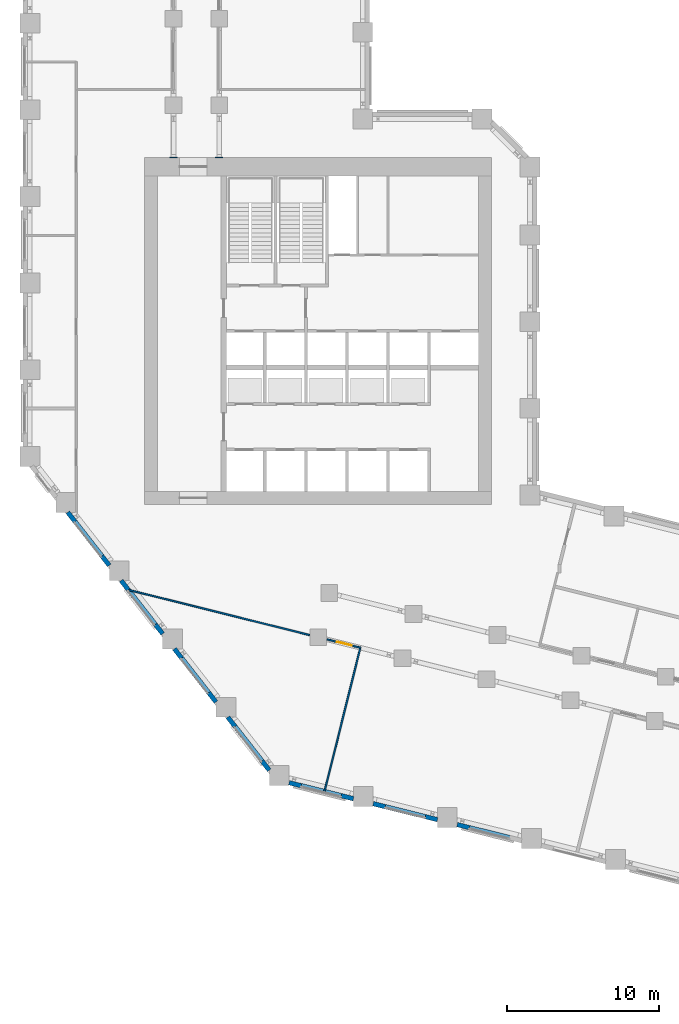
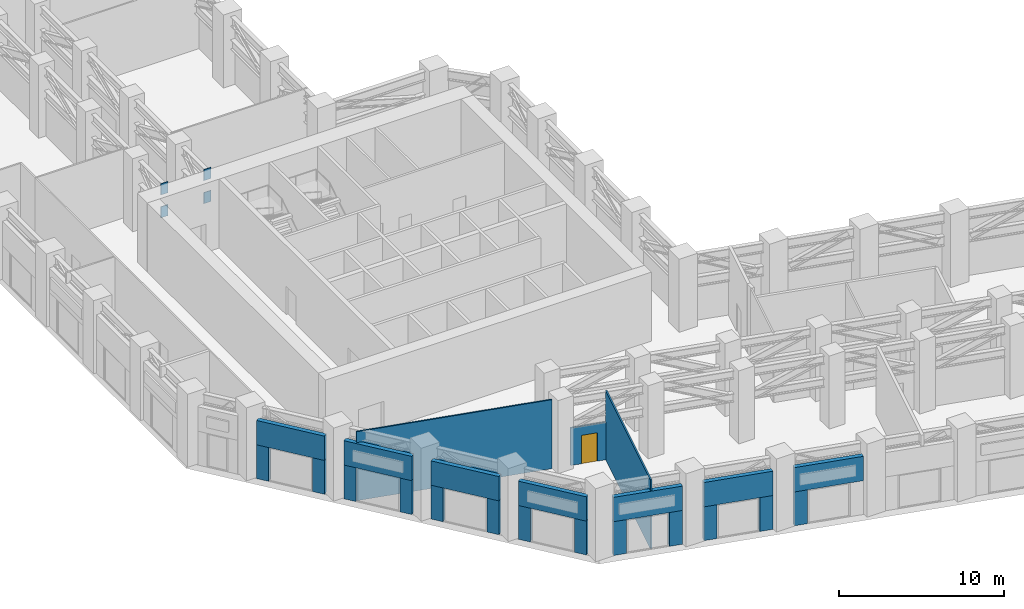
# One storey, part 12 of 21: 23 walls, 4 plates, 1 door, 1 opening.
"""IFC4 building model written with IfcOpenShell, lengths in metres."""

from ifc_helpers import new_model, si_unit, direction, frame, frame_2d, origin, origin_2d, place, context, subcontext, project, spatial, rectangle, extrude, material, layer, layer_set, type_object, element, fill, save


model = new_model("IFC4")

# Units and contexts
model_context = context("Model", 3, precision=1e-05, world=origin(), true_north=direction((0.0, 1.0)))
body_context = subcontext(model_context, "Body", "Model", "MODEL_VIEW")
ifc_project = project(units=[si_unit("LENGTHUNIT", "METRE"), si_unit("AREAUNIT", "SQUARE_METRE"), si_unit("VOLUMEUNIT", "CUBIC_METRE"), si_unit("PLANEANGLEUNIT", "RADIAN"), si_unit("MASSUNIT", "GRAM", prefix="KILO")], contexts=[model_context])

# Site, building, storey
site_placement = place(None, origin())
site = spatial("IfcSite", under=ifc_project, at=site_placement, CompositionType="ELEMENT")
building_placement = place(site_placement, origin())
building = spatial("IfcBuilding", under=site, at=building_placement, Name="Meshkara Civic Tower", CompositionType="ELEMENT")
storey_placement = place(building_placement, frame((0.0, 0.0, 156.0)))
storey = spatial("IfcBuildingStorey", under=building, at=storey_placement, Name="L35", CompositionType="ELEMENT", Elevation=156.0)

# Plates
ifc_material_1 = material(Name="Steel S355", Category="steel")
ifc_layer_1 = layer(ifc_material_1, 0.0400390625)
ifc_layer_set_1 = layer_set([ifc_layer_1], Name="Cast-in plate 40 505x820 S355")
plate_type = type_object("IfcPlateType", Name="Cast-in plate 40 505x820 S355", PredefinedType="SHEET", material=ifc_layer_set_1)
for number, where, z_axis, x_axis, name in (
    (1, (9.89990234375, 36.919921875, 4.3798828125), (0.0, 0.0, 1.0), (0.0, 1.0, 0.0), "Cast-in plate OSA1"),
    (2, (9.89990234375, 36.919921875, 2.68017578125), (0.0, 0.0, 1.0), (0.0, 1.0, 0.0), "Cast-in plate OSA1"),
    (3, (12.89990234375, 36.919921875, 4.3798828125), (0.0, 0.0, 1.0), (0.0, 1.0, 0.0), "Cast-in plate OSA2"),
    (4, (12.89990234375, 36.919921875, 2.68017578125), (0.0, 0.0, 1.0), (0.0, 1.0, 0.0), "Cast-in plate OSA2"),
):
    element("IfcPlate", number, at=place(storey_placement, frame(where, z_axis=z_axis, x_axis=x_axis)), inside=storey, type_object=plate_type, Name=name, PredefinedType="SHEET", context=body_context, shape_type="SweptSolid", body=[
        extrude(rectangle(XDim=0.0400390625, YDim=0.5048828125, at=origin_2d()), origin(), (0.0, 0.0, 1.0), 0.820068359375),
    ])

# Wall
ifc_material_2 = material(Name="Corridor wall 100")
ifc_layer_2 = layer(ifc_material_2, 0.10009765625)
ifc_layer_set_2 = layer_set([ifc_layer_2], Name="Corridor wall 100")
wall_type_1 = type_object("IfcWallType", Name="Corridor wall 100", PredefinedType="PARTITIONING", material=ifc_layer_set_2)
wall_1_placement = place(storey_placement, frame((6.908447265625, 8.480712890625, 0.0), z_axis=(0.0, 0.0, 1.0), x_axis=(0.970288137561, -0.241952330241, 0.0)))
element("IfcWall", 5, at=wall_1_placement, inside=storey, type_object=wall_type_1, Name="L35-R003", PredefinedType="PARTITIONING", context=body_context, shape_type="SweptSolid", body=[
    extrude(rectangle(XDim=12.311279296875, YDim=0.10009765625, at=frame_2d((6.15576171875, 0.0))), origin(), (0.0, 0.0, 1.0), 5.10009765625),
])

# Wall, opening, door
wall_2_placement = place(storey_placement, frame((19.993896484375, 5.218017578125, 0.0), z_axis=(0.0, 0.0, 1.0), x_axis=(0.970313661105, -0.241849951567, 0.0)))
wall_2 = element("IfcWall", 6, at=wall_2_placement, inside=storey, type_object=wall_type_1, Name="L35-R012", PredefinedType="PARTITIONING", context=body_context, shape_type="SweptSolid", body=[
    extrude(rectangle(XDim=2.26220703125, YDim=0.10009765625, at=frame_2d((1.131103515625, 0.0))), origin(), (0.0, 0.0, 1.0), 2.780029296875),
])
opening_placement = place(wall_2_placement, frame((0.679931640625, 0.0, 0.0)))
opening = element("IfcOpeningElement", 7, at=opening_placement, cuts=wall_2, Name="Opening L35-P004", PredefinedType="OPENING", context=body_context, shape_type="SweptSolid", body=[
    extrude(rectangle(XDim=1.0, YDim=2.10009765625, at=frame_2d((0.5, 1.050048828125))), frame((0.0, 0.06005859375, 0.0), z_axis=(0.0, -1.0, 0.0), x_axis=(1.0, 0.0, 0.0)), (0.0, 0.0, 1.0), 0.1201171875),
])
ifc_material_3 = material(Name="Door 1000 x 2100")
door_type = type_object("IfcDoorType", Name="Door 1000 x 2100", OperationType="SINGLE_SWING_LEFT", PredefinedType="DOOR", material=ifc_material_3)
door_placement = place(opening_placement, origin())
door = element("IfcDoor", 8, at=door_placement, inside=storey, type_object=door_type, Name="L35-P004", OperationType="SINGLE_SWING_LEFT", OverallHeight=2.10009765625, OverallWidth=1.0, PredefinedType="DOOR", context=body_context, shape_type="SweptSolid", body=[
    extrude(rectangle(XDim=1.0, YDim=2.10009765625, at=frame_2d((0.5, 1.050048828125))), frame((0.0, 0.02490234375, 0.0), z_axis=(0.0, -1.0, 0.0), x_axis=(1.0, 0.0, 0.0)), (0.0, 0.0, 1.0), 0.050048828125),
])
fill(opening, door)

# Walls
wall_3_placement = place(storey_placement, frame((22.18896484375, 4.6708984375, 0.0), z_axis=(0.0, 0.0, 1.0), x_axis=(-0.241880791135, -0.970305973845, 0.0)))
element("IfcWall", 9, at=wall_3_placement, inside=storey, type_object=wall_type_1, Name="L35-R013", PredefinedType="PARTITIONING", context=body_context, shape_type="SweptSolid", body=[
    extrude(rectangle(XDim=9.825927734375, YDim=0.10009765625, at=frame_2d((4.9130859375, 0.0))), origin(), (0.0, 0.0, 1.0), 5.10009765625),
])
ifc_material_4 = material(Name="Insulated infill panel with bronze anodised aluminium cladding", Category="aluminium")
ifc_layer_3 = layer(ifc_material_4, 0.300048828125)
ifc_layer_set_3 = layer_set([ifc_layer_3], Name="EXTERNAL INFILL WALL 300")
wall_type_2 = type_object("IfcWallType", Name="EXTERNAL INFILL WALL 300", PredefinedType="SOLIDWALL", material=ifc_layer_set_3)
wall_4_placement = place(storey_placement, frame((2.94189453125, 13.5791015625, 2.5), z_axis=(0.0, 0.0, 1.0), x_axis=(0.61562695532, -0.788037722373, 0.0)))
element("IfcWall", 10, at=wall_4_placement, inside=storey, type_object=wall_type_2, Name="External wall", PredefinedType="SOLIDWALL", context=body_context, shape_type="SweptSolid", body=[
    extrude(rectangle(XDim=4.4365234375, YDim=0.300048828125, at=frame_2d((2.21826171875, 0.0))), origin(), (0.0, 0.0, 1.0), 1.800048828125),
])
wall_5_placement = place(storey_placement, frame((6.450927734375, 9.0869140625, 2.5), z_axis=(0.0, 0.0, 1.0), x_axis=(0.615683543254, -0.787993511754, 0.0)))
element("IfcWall", 11, at=wall_5_placement, inside=storey, type_object=wall_type_2, Name="External wall", PredefinedType="SOLIDWALL", context=body_context, shape_type="SweptSolid", body=[
    extrude(rectangle(XDim=4.437744140625, YDim=0.300048828125, at=frame_2d((2.21875, 0.0))), origin(), (0.0, 0.0, 1.0), 1.800048828125),
])
wall_6_placement = place(storey_placement, frame((9.9609375, 4.594970703125, 2.5), z_axis=(0.0, 0.0, 1.0), x_axis=(0.615619477922, -0.788043563773, 0.0)))
element("IfcWall", 12, at=wall_6_placement, inside=storey, type_object=wall_type_2, Name="External wall", PredefinedType="SOLIDWALL", context=body_context, shape_type="SweptSolid", body=[
    extrude(rectangle(XDim=4.43603515625, YDim=0.300048828125, at=frame_2d((2.218017578125, 0.0))), origin(), (0.0, 0.0, 1.0), 1.800048828125),
])
wall_7_placement = place(storey_placement, frame((13.468994140625, 0.10400390625, 2.5), z_axis=(0.0, 0.0, 1.0), x_axis=(0.615622689486, -0.788041054888, 0.0)))
element("IfcWall", 13, at=wall_7_placement, inside=storey, type_object=wall_type_2, Name="External wall", PredefinedType="SOLIDWALL", context=body_context, shape_type="SweptSolid", body=[
    extrude(rectangle(XDim=4.437744140625, YDim=0.300048828125, at=frame_2d((2.21875, 0.0))), origin(), (0.0, 0.0, 1.0), 1.800048828125),
])
wall_8_placement = place(storey_placement, frame((17.5009765625, -4.208984375, 2.5), z_axis=(0.0, 0.0, 1.0), x_axis=(0.970293811216, -0.241929576357, 0.0)))
element("IfcWall", 14, at=wall_8_placement, inside=storey, type_object=wall_type_2, Name="External wall", PredefinedType="SOLIDWALL", context=body_context, shape_type="SweptSolid", body=[
    extrude(rectangle(XDim=4.360595703125, YDim=0.300048828125, at=frame_2d((2.18017578125, 0.0))), origin(), (0.0, 0.0, 1.0), 1.800048828125),
])
wall_9_placement = place(storey_placement, frame((23.031982421875, -5.587890625, 2.5), z_axis=(0.0, 0.0, 1.0), x_axis=(0.970267548892, -0.242034880891, 0.0)))
element("IfcWall", 15, at=wall_9_placement, inside=storey, type_object=wall_type_2, Name="External wall", PredefinedType="SOLIDWALL", context=body_context, shape_type="SweptSolid", body=[
    extrude(rectangle(XDim=4.359619140625, YDim=0.300048828125, at=frame_2d((2.1796875, 0.0))), origin(), (0.0, 0.0, 1.0), 1.800048828125),
])
wall_10_placement = place(storey_placement, frame((28.56201171875, -6.967041015625, 2.5), z_axis=(0.0, 0.0, 1.0), x_axis=(0.970346363444, -0.241718710386, 0.0)))
element("IfcWall", 16, at=wall_10_placement, inside=storey, type_object=wall_type_2, Name="External wall", PredefinedType="SOLIDWALL", context=body_context, shape_type="SweptSolid", body=[
    extrude(rectangle(XDim=4.3603515625, YDim=0.300048828125, at=frame_2d((2.18017578125, 0.0))), origin(), (0.0, 0.0, 1.0), 1.800048828125),
])
ifc_material_5 = material(Name="Concrete C50", Category="concrete")
ifc_layer_4 = layer(ifc_material_5, 0.300048828125)
ifc_layer_set_4 = layer_set([ifc_layer_4], Name="SKY LOBBY PIER 300")
wall_type_3 = type_object("IfcWallType", Name="SKY LOBBY PIER 300", PredefinedType="SOLIDWALL", material=ifc_layer_set_4)
for number, where, z_axis, x_axis, name in (
    (17, (2.94189453125, 13.5791015625, 0.0), (0.0, 0.0, 1.0), (0.615356771204, -0.788248719716, 0.0), "Sky lobby pier"),
    (18, (5.196044921875, 10.694091796875, 0.0), (0.0, 0.0, 1.0), (0.615356771204, -0.788248719716, 0.0), "Sky lobby pier"),
    (19, (6.450927734375, 9.0869140625, 0.0), (0.0, 0.0, 1.0), (0.615509551601, -0.788129425848, 0.0), "Sky lobby pier"),
):
    element("IfcWall", number, at=place(storey_placement, frame(where, z_axis=z_axis, x_axis=x_axis)), inside=storey, type_object=wall_type_3, Name=name, PredefinedType="SOLIDWALL", context=body_context, shape_type="SweptSolid", body=[
        extrude(rectangle(XDim=0.775146484375, YDim=0.300048828125, at=frame_2d((0.3876953125, 0.0))), origin(), (0.0, 0.0, 1.0), 2.5),
    ])
wall_11_placement = place(storey_placement, frame((8.705078125, 6.200927734375, 0.0), z_axis=(0.0, 0.0, 1.0), x_axis=(0.616291287595, -0.787518284762, 0.0)))
element("IfcWall", 20, at=wall_11_placement, inside=storey, type_object=wall_type_3, Name="Sky lobby pier", PredefinedType="SOLIDWALL", context=body_context, shape_type="SweptSolid", body=[
    extrude(rectangle(XDim=0.775634765625, YDim=0.300048828125, at=frame_2d((0.3876953125, 0.0))), origin(), (0.0, 0.0, 1.0), 2.5),
])
wall_12_placement = place(storey_placement, frame((9.9609375, 4.594970703125, 0.0), z_axis=(0.0, 0.0, 1.0), x_axis=(0.615356771204, -0.788248719716, 0.0)))
element("IfcWall", 21, at=wall_12_placement, inside=storey, type_object=wall_type_3, Name="Sky lobby pier", PredefinedType="SOLIDWALL", context=body_context, shape_type="SweptSolid", body=[
    extrude(rectangle(XDim=0.775146484375, YDim=0.300048828125, at=frame_2d((0.3876953125, 0.0))), origin(), (0.0, 0.0, 1.0), 2.5),
])
wall_13_placement = place(storey_placement, frame((12.215087890625, 1.708984375, 0.0), z_axis=(0.0, 0.0, 1.0), x_axis=(0.615925525188, -0.787804383983, 0.0)))
element("IfcWall", 22, at=wall_13_placement, inside=storey, type_object=wall_type_3, Name="Sky lobby pier", PredefinedType="SOLIDWALL", context=body_context, shape_type="SweptSolid", body=[
    extrude(rectangle(XDim=0.774169921875, YDim=0.300048828125, at=frame_2d((0.38720703125, 0.0))), origin(), (0.0, 0.0, 1.0), 2.5),
])
for number, where, z_axis, x_axis, name in (
    (23, (13.468994140625, 0.10400390625, 0.0), (0.0, 0.0, 1.0), (0.615356771204, -0.788248719716, 0.0), "Sky lobby pier"),
    (24, (15.72412109375, -2.781982421875, 0.0), (0.0, 0.0, 1.0), (0.615161042187, -0.788401479055, 0.0), "Sky lobby pier"),
):
    element("IfcWall", number, at=place(storey_placement, frame(where, z_axis=z_axis, x_axis=x_axis)), inside=storey, type_object=wall_type_3, Name=name, PredefinedType="SOLIDWALL", context=body_context, shape_type="SweptSolid", body=[
        extrude(rectangle(XDim=0.775146484375, YDim=0.300048828125, at=frame_2d((0.3876953125, 0.0))), origin(), (0.0, 0.0, 1.0), 2.5),
    ])
for number, where, z_axis, x_axis, name in (
    (25, (17.5009765625, -4.208984375, 0.0), (0.0, 0.0, 1.0), (0.970229411736, -0.242187713567, 0.0), "Sky lobby pier"),
    (26, (20.930908203125, -5.06396484375, 0.0), (0.0, 0.0, 1.0), (0.970229411736, -0.242187713567, 0.0), "Sky lobby pier"),
    (27, (23.031982421875, -5.587890625, 0.0), (0.0, 0.0, 1.0), (0.970159891198, -0.242466050223, 0.0), "Sky lobby pier"),
    (28, (26.4609375, -6.443115234375, 0.0), (0.0, 0.0, 1.0), (0.970229411736, -0.242187713567, 0.0), "Sky lobby pier"),
):
    element("IfcWall", number, at=place(storey_placement, frame(where, z_axis=z_axis, x_axis=x_axis)), inside=storey, type_object=wall_type_3, Name=name, PredefinedType="SOLIDWALL", context=body_context, shape_type="SweptSolid", body=[
        extrude(rectangle(XDim=0.82568359375, YDim=0.300048828125, at=frame_2d((0.412841796875, 0.0))), origin(), (0.0, 0.0, 1.0), 2.5),
    ])
wall_14_placement = place(storey_placement, frame((28.56201171875, -6.967041015625, 0.0), z_axis=(0.0, 0.0, 1.0), x_axis=(0.970506794267, -0.241073769377, 0.0)))
element("IfcWall", 29, at=wall_14_placement, inside=storey, type_object=wall_type_3, Name="Sky lobby pier", PredefinedType="SOLIDWALL", context=body_context, shape_type="SweptSolid", body=[
    extrude(rectangle(XDim=0.825439453125, YDim=0.300048828125, at=frame_2d((0.41259765625, 0.0))), origin(), (0.0, 0.0, 1.0), 2.5),
])

save(model, "model.ifc")
